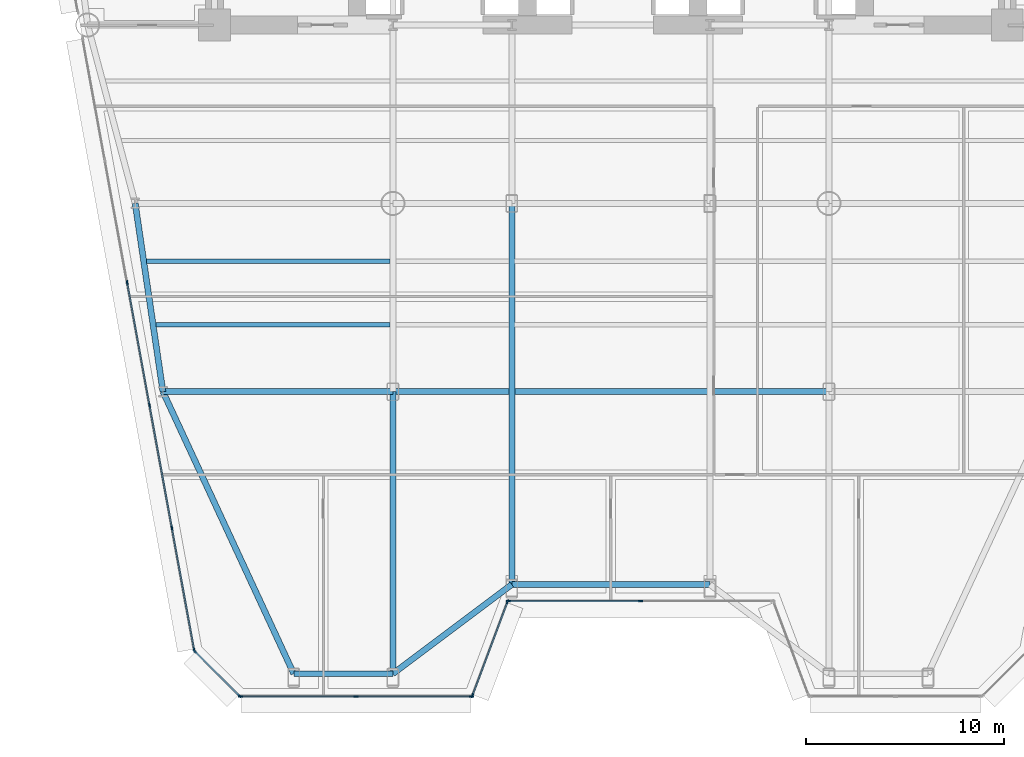
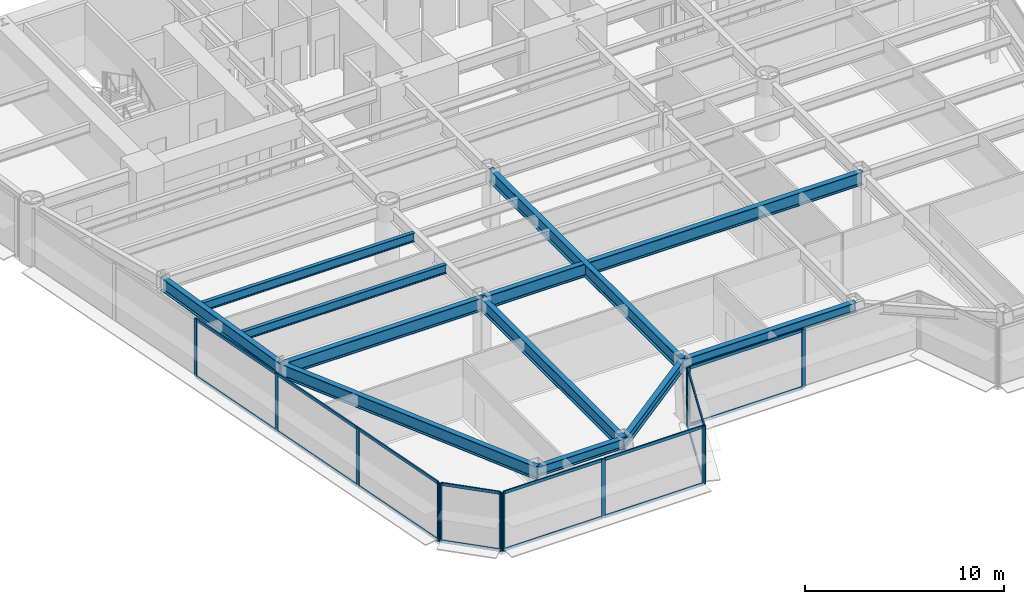
# One storey, part 2 of 14: 29 members, 11 beams, 5 elements without a shape of their own.
"""IFC4 building model written with IfcOpenShell, lengths in metres."""

import ifcopenshell
import ifcopenshell.guid

model = None  # the IFC model being written
_history = None  # IfcOwnerHistory: only IFC2X3 demands one
_inside = {}  # id of a spatial element -> (the spatial element, [elements in it])
_under = {}  # id of a project, library or spatial element -> (it, [spatial elements below it])
_declared = {}  # id of a project -> (the project, [libraries it declares])
_typed = {}  # id of a type object -> (the type object, [elements of that type])
_made_of = {}  # id of a material, layer set ... -> (it, [elements and type objects made of it])


def new_model(schema):
    """Start an empty IFC model of exactly this schema.

    Asked for "IFC4X3", IfcOpenShell would pick the latest addendum, in which some entities
    have other attributes; the version numbers below select the first issue.
    IFC2X3 requires an IfcOwnerHistory on every rooted entity: one is made here for all.
    """
    global model, _history
    if schema == "IFC4X3":
        model = ifcopenshell.file(schema_version=(4, 3, 0, 0))
    else:
        model = ifcopenshell.file(schema=schema)
    _inside.clear()
    _under.clear()
    _declared.clear()
    _typed.clear()
    _made_of.clear()
    _history = None
    if model.schema == "IFC2X3":
        org = make("IfcOrganization", Name="unknown")
        user = make(
            "IfcPersonAndOrganization",
            ThePerson=make("IfcPerson", FamilyName="unknown"),
            TheOrganization=org,
        )
        app = make(
            "IfcApplication",
            ApplicationDeveloper=org,
            Version="unknown",
            ApplicationFullName="unknown",
            ApplicationIdentifier="unknown",
        )
        _history = make(
            "IfcOwnerHistory",
            OwningUser=user,
            OwningApplication=app,
            ChangeAction="ADDED",
            CreationDate=0,
        )
    return model


def make(cls, **values):
    """One entity of the class cls with the attributes given. An attribute that is None is left unset."""
    return model.create_entity(
        cls, **{name: value for name, value in values.items() if value is not None}
    )


def rooted(cls, **values):
    """An entity with a GlobalId (a new one), such as an element, a storey or a relation."""
    return make(cls, GlobalId=ifcopenshell.guid.new(), OwnerHistory=_history, **values)


def si_unit(unit_type, name, prefix=None):
    """IfcSIUnit, for example si_unit("LENGTHUNIT", "METRE", prefix="MILLI")."""
    return make("IfcSIUnit", UnitType=unit_type, Prefix=prefix, Name=name)


def assignment(units):
    """IfcUnitAssignment: the units of a project."""
    return None if units is None else make("IfcUnitAssignment", Units=units)


def point(xyz):
    """IfcCartesianPoint."""
    return None if xyz is None else make("IfcCartesianPoint", Coordinates=xyz)


def direction(xyz):
    """IfcDirection."""
    return None if xyz is None else make("IfcDirection", DirectionRatios=xyz)


def frame(location, z_axis=None, x_axis=None):
    """IfcAxis2Placement3D, a coordinate frame: its origin and axes. An axis left out is left unset."""
    return make(
        "IfcAxis2Placement3D",
        Location=point(location),
        Axis=direction(z_axis),
        RefDirection=direction(x_axis),
    )


def frame_2d(location, x_axis=None):
    """IfcAxis2Placement2D, a coordinate frame in the plane: its origin and x axis."""
    return make(
        "IfcAxis2Placement2D", Location=point(location), RefDirection=direction(x_axis)
    )


def origin():
    """The frame at (0, 0, 0) with its axes left unset."""
    return frame((0.0, 0.0, 0.0))


def origin_2d():
    """The frame at (0, 0) in the plane with its x axis left unset."""
    return frame_2d((0.0, 0.0))


def place(relative_to, where):
    """IfcLocalPlacement: puts the frame where relative to a parent placement (None: the world)."""
    return make(
        "IfcLocalPlacement", PlacementRelTo=relative_to, RelativePlacement=where
    )


def context(
    kind, dimensions, precision=None, world=None, true_north=None, identifier=None
):
    """IfcGeometricRepresentationContext, for example the 3D "Model" context."""
    return make(
        "IfcGeometricRepresentationContext",
        ContextIdentifier=identifier,
        ContextType=kind,
        CoordinateSpaceDimension=dimensions,
        Precision=precision,
        WorldCoordinateSystem=world,
        TrueNorth=true_north,
    )


def subcontext(parent, identifier, kind, view, scale=None):
    """IfcGeometricRepresentationSubContext, for example "Body" below "Model"."""
    return make(
        "IfcGeometricRepresentationSubContext",
        ContextIdentifier=identifier,
        ContextType=kind,
        ParentContext=parent,
        TargetScale=scale,
        TargetView=view,
    )


def project(units=None, contexts=None):
    """IfcProject with its units and contexts."""
    return rooted(
        "IfcProject",
        Name="project",
        RepresentationContexts=contexts,
        UnitsInContext=assignment(units),
    )


def spatial(cls, under=None, at=None, **own):
    """A site, building, storey or space (cls), placed at a placement, below another one or the project."""
    s = rooted(cls, ObjectPlacement=at, **own)
    if under is not None:
        _under.setdefault(under.id(), (under, []))[1].append(s)
    return s


def profile(cls, at=None, kind="AREA", **sizes):
    """A parametric profile (cls). Its sizes go by their IFC names, for example OverallWidth=200.0."""
    return make(cls, ProfileType=kind, Position=at, **sizes)


def rectangle(**sizes):
    """IfcRectangleProfileDef."""
    return profile("IfcRectangleProfileDef", **sizes)


def i_section(**sizes):
    """IfcIShapeProfileDef."""
    return profile("IfcIShapeProfileDef", **sizes)


def extrude(swept, where, along, depth):
    """IfcExtrudedAreaSolid: the profile swept, set in the frame where, extruded along a direction by depth."""
    return make(
        "IfcExtrudedAreaSolid",
        SweptArea=swept,
        Position=where,
        ExtrudedDirection=direction(along),
        Depth=depth,
    )


def shape(context_of_items, identifier, shape_type, items):
    """IfcShapeRepresentation: the items that make up one representation, for example the "Body"."""
    return make(
        "IfcShapeRepresentation",
        ContextOfItems=context_of_items,
        RepresentationIdentifier=identifier,
        RepresentationType=shape_type,
        Items=items,
    )


def source(mapping_origin, context_of_items, identifier, shape_type, items):
    """IfcRepresentationMap: a shape defined once, which mapped items show again and again."""
    return make(
        "IfcRepresentationMap",
        MappingOrigin=mapping_origin,
        MappedRepresentation=shape(context_of_items, identifier, shape_type, items),
    )


def transform(
    local_origin,
    x_axis=None,
    y_axis=None,
    z_axis=None,
    scale=None,
    scale2=None,
    scale3=None,
    uniform=True,
):
    """IfcCartesianTransformationOperator3D, or its non-uniform kind. x_axis, y_axis, z_axis: its Axis1, 2, 3."""
    if uniform:
        return make(
            "IfcCartesianTransformationOperator3D",
            Axis1=direction(x_axis),
            Axis2=direction(y_axis),
            LocalOrigin=point(local_origin),
            Scale=scale,
            Axis3=direction(z_axis),
        )
    return make(
        "IfcCartesianTransformationOperator3DnonUniform",
        Axis1=direction(x_axis),
        Axis2=direction(y_axis),
        LocalOrigin=point(local_origin),
        Scale=scale,
        Axis3=direction(z_axis),
        Scale2=scale2,
        Scale3=scale3,
    )


def mapped(mapping_source, mapping_target):
    """IfcMappedItem: shows the shape of a source again, moved by a transform."""
    return make(
        "IfcMappedItem", MappingSource=mapping_source, MappingTarget=mapping_target
    )


def material(Name=None, Category=None):
    """IfcMaterial."""
    return make("IfcMaterial", Name=Name, Category=Category)


def layer(
    of_material, thickness, ventilated=None, Name=None, Category=None, Priority=None
):
    """IfcMaterialLayer: one layer of a wall or slab, of a material (None: an air gap)."""
    return make(
        "IfcMaterialLayer",
        Material=of_material,
        LayerThickness=thickness,
        IsVentilated=ventilated,
        Name=Name,
        Category=Category,
        Priority=Priority,
    )


def layer_set(layers, Name=None):
    """IfcMaterialLayerSet."""
    return make("IfcMaterialLayerSet", MaterialLayers=layers, LayerSetName=Name)


def material_profile(
    of_material, cross_section, Name=None, Category=None, Priority=None
):
    """IfcMaterialProfile: a cross section and its material."""
    return make(
        "IfcMaterialProfile",
        Name=Name,
        Material=of_material,
        Profile=cross_section,
        Priority=Priority,
        Category=Category,
    )


def profile_set(profiles, Name=None, composite=None):
    """IfcMaterialProfileSet."""
    return make(
        "IfcMaterialProfileSet",
        Name=Name,
        MaterialProfiles=profiles,
        CompositeProfile=composite,
    )


def made_of(thing, what):
    """Note that an element or type object is made of a material, layer set ...; save() writes the relation."""
    if what is not None:
        _made_of.setdefault(what.id(), (what, []))[1].append(thing)
    return thing


def type_object(cls, material=None, **own):
    """A type object (cls), such as IfcWallType, which elements share."""
    return made_of(rooted(cls, **own), material)


def element(
    cls,
    number,
    at=None,
    inside=None,
    cuts=None,
    type_object=None,
    material=None,
    context=None,
    identifier="Body",
    shape_type=None,
    held_by="IfcProductDefinitionShape",
    body=None,
    shapes=None,
    **own,
):
    """One element of the class cls, such as IfcWall. Its Tag is "e" and its number.

    at: its placement. inside: the storey or other place that contains it. cuts: it is an
    opening in that element (IfcRelVoidsElement). A single representation is given by context,
    identifier, shape_type and body (its items); several are given by shapes. held_by: the class
    of the entity that holds the representations. save() writes the other relations.
    """
    e = rooted(cls, Tag="e%d" % number, ObjectPlacement=at, **own)
    if body is not None:
        shapes = [shape(context, identifier, shape_type, body)]
    if shapes is not None:
        e.Representation = make(held_by, Representations=shapes)
    if inside is not None:
        _inside.setdefault(inside.id(), (inside, []))[1].append(e)
    if cuts is not None:
        rooted(
            "IfcRelVoidsElement", RelatingBuildingElement=cuts, RelatedOpeningElement=e
        )
    if type_object is not None:
        _typed.setdefault(type_object.id(), (type_object, []))[1].append(e)
    return made_of(e, material)


def aggregate(whole, parts):
    """IfcRelAggregates: a whole, such as a stair, and the parts it consists of."""
    return rooted("IfcRelAggregates", RelatingObject=whole, RelatedObjects=parts)


def save(model, path):
    """Write the relations noted so far, then the file.

    IfcRelAggregates (storeys below a building ...), IfcRelContainedInSpatialStructure (elements
    in a storey), IfcRelDefinesByType, IfcRelAssociatesMaterial and IfcRelDeclares: one each for
    every whole, place, type object, material and project.
    """
    for whole, parts in _under.values():
        aggregate(whole, parts)
    for where, things in _inside.values():
        rooted(
            "IfcRelContainedInSpatialStructure",
            RelatedElements=things,
            RelatingStructure=where,
        )
    for kind, things in _typed.values():
        rooted("IfcRelDefinesByType", RelatedObjects=things, RelatingType=kind)
    for what, things in _made_of.values():
        rooted("IfcRelAssociatesMaterial", RelatedObjects=things, RelatingMaterial=what)
    for by, libraries in _declared.values():
        rooted("IfcRelDeclares", RelatingContext=by, RelatedDefinitions=libraries)
    model.write(path)


model = new_model("IFC4")

# Units and contexts
model_context = context("Model", 3, precision=1e-05, world=origin(), true_north=direction((0.0, 1.0)))
body_context = subcontext(model_context, "Body", "Model", "MODEL_VIEW")
ifc_project = project(units=[si_unit("LENGTHUNIT", "METRE"), si_unit("AREAUNIT", "SQUARE_METRE"), si_unit("VOLUMEUNIT", "CUBIC_METRE"), si_unit("PLANEANGLEUNIT", "RADIAN"), si_unit("MASSUNIT", "GRAM", prefix="KILO")], contexts=[model_context])

# Site, building, storey
site_placement = place(None, origin())
site = spatial("IfcSite", under=ifc_project, at=site_placement, CompositionType="ELEMENT")
building_placement = place(site_placement, origin())
building = spatial("IfcBuilding", under=site, at=building_placement, Name="Vaeldorn Concourse Tower", CompositionType="ELEMENT")
storey_placement = place(building_placement, frame((0.0, 0.0, 60.60009765625)))
storey = spatial("IfcBuildingStorey", under=building, at=storey_placement, Name="L15", CompositionType="ELEMENT", Elevation=60.60009765625)

# Beams
ifc_material_1 = material(Name="Steel S355", Category="steel")
ifc_material_profile_1 = material_profile(ifc_material_1, i_section(OverallWidth=0.300048828125, OverallDepth=0.60009765625, WebThickness=0.015380859375, FlangeThickness=0.030029296875, FilletRadius=0.027099609375, at=origin_2d()), Name="HEB 600")
ifc_profile_set_1 = profile_set([ifc_material_profile_1], Name="Steel S355")
beam_type_1 = type_object("IfcBeamType", Name="BM-SP-HEB600", PredefinedType="SPANDREL", material=ifc_profile_set_1)
shared_shape_1 = source(origin(), body_context, "Body", "SweptSolid", [
    extrude(i_section(OverallWidth=0.300048828125, OverallDepth=0.60009765625, WebThickness=0.015380859375, FlangeThickness=0.030029296875, FilletRadius=0.027099609375, at=origin_2d()), origin(), (0.0, 0.0, 1.0), 5.0),
])
beam_1_placement = place(storey_placement, frame((18.0, 3.768798828125, 3.27978515625), z_axis=(1.0, 0.0, 0.0), x_axis=(0.0, 1.0, 0.0)))
element("IfcBeam", 1, at=beam_1_placement, inside=storey, type_object=beam_type_1, Name="Beam BM-L15-C-SF1-C-SF2", PredefinedType="SPANDREL", context=body_context, shape_type="MappedRepresentation", body=[
    mapped(shared_shape_1, transform((0.0, 0.0, 0.0), scale=1.0)),
])
shared_shape_2 = source(origin(), body_context, "Body", "SweptSolid", [
    extrude(i_section(OverallWidth=0.300048828125, OverallDepth=0.60009765625, WebThickness=0.015380859375, FlangeThickness=0.030029296875, FilletRadius=0.027099609375, at=origin_2d()), origin(), (0.0, 0.0, 1.0), 7.5),
])
beam_2_placement = place(storey_placement, frame((23.0, 3.768798828125, 3.27978515625), z_axis=(0.8, 0.6, 0.0), x_axis=(-0.6, 0.8, 0.0)))
element("IfcBeam", 2, at=beam_2_placement, inside=storey, type_object=beam_type_1, Name="Beam BM-L15-C-SF2-C-SF3", PredefinedType="SPANDREL", context=body_context, shape_type="MappedRepresentation", body=[
    mapped(shared_shape_2, transform((0.0, 0.0, 0.0), scale=1.0)),
])
shared_shape_3 = source(origin(), body_context, "Body", "SweptSolid", [
    extrude(i_section(OverallWidth=0.300048828125, OverallDepth=0.60009765625, WebThickness=0.015380859375, FlangeThickness=0.030029296875, FilletRadius=0.027099609375, at=origin_2d()), origin(), (0.0, 0.0, 1.0), 10.0),
])
beam_3_placement = place(storey_placement, frame((29.0, 8.268798828125, 3.27978515625), z_axis=(1.0, 0.0, 0.0), x_axis=(0.0, 1.0, 0.0)))
element("IfcBeam", 3, at=beam_3_placement, inside=storey, type_object=beam_type_1, Name="Beam BM-L15-C-SF3-C-SF4", PredefinedType="SPANDREL", context=body_context, shape_type="MappedRepresentation", body=[
    mapped(shared_shape_3, transform((0.0, 0.0, 0.0), scale=1.0)),
])
ifc_material_profile_2 = material_profile(ifc_material_1, i_section(OverallWidth=0.300048828125, OverallDepth=0.800048828125, WebThickness=0.017578125, FlangeThickness=0.032958984375, FilletRadius=0.030029296875, at=origin_2d()), Name="HEB 800")
ifc_profile_set_2 = profile_set([ifc_material_profile_2], Name="Steel S355")
beam_type_2 = type_object("IfcBeamType", Name="BM-PG-HEB800", PredefinedType="BEAM", material=ifc_profile_set_2)
shared_shape_4 = source(origin(), body_context, "Body", "SweptSolid", [
    extrude(i_section(OverallWidth=0.300048828125, OverallDepth=0.800048828125, WebThickness=0.017578125, FlangeThickness=0.032958984375, FilletRadius=0.030029296875, at=origin_2d()), origin(), (0.0, 0.0, 1.0), 9.6025390625),
])
beam_4_placement = place(storey_placement, frame((10.0, 27.5, 3.179931640625), z_axis=(0.145783835977, -0.989316467652, 0.0), x_axis=(0.989316467652, 0.145783835977, 0.0)))
element("IfcBeam", 4, at=beam_4_placement, inside=storey, type_object=beam_type_2, Name="Beam BM-L15-C-FLW1-C-FLW2", PredefinedType="BEAM", context=body_context, shape_type="MappedRepresentation", body=[
    mapped(shared_shape_4, transform((0.0, 0.0, 0.0), scale=1.0)),
])
shared_shape_5 = source(origin(), body_context, "Body", "SweptSolid", [
    extrude(i_section(OverallWidth=0.300048828125, OverallDepth=0.800048828125, WebThickness=0.017578125, FlangeThickness=0.032958984375, FilletRadius=0.030029296875, at=origin_2d()), origin(), (0.0, 0.0, 1.0), 11.60009765625),
])
beam_5_placement = place(storey_placement, frame((11.39990234375, 18.0, 3.179931640625), z_axis=(1.0, 0.0, 0.0), x_axis=(0.0, 1.0, 0.0)))
element("IfcBeam", 5, at=beam_5_placement, inside=storey, type_object=beam_type_2, Name="Beam BM-L15-C-FLW2-C-TW5", PredefinedType="BEAM", context=body_context, shape_type="MappedRepresentation", body=[
    mapped(shared_shape_5, transform((0.0, 0.0, 0.0), scale=1.0)),
])
shared_shape_6 = source(origin(), body_context, "Body", "SweptSolid", [
    extrude(i_section(OverallWidth=0.300048828125, OverallDepth=0.800048828125, WebThickness=0.017578125, FlangeThickness=0.032958984375, FilletRadius=0.030029296875, at=origin_2d()), origin(), (0.0, 0.0, 1.0), 22.0),
])
beam_6_placement = place(storey_placement, frame((23.0, 18.0, 3.179931640625), z_axis=(1.0, 0.0, 0.0), x_axis=(0.0, 1.0, 0.0)))
element("IfcBeam", 6, at=beam_6_placement, inside=storey, type_object=beam_type_2, Name="Beam BM-L15-C-TW5-C-TW6", PredefinedType="BEAM", context=body_context, shape_type="MappedRepresentation", body=[
    mapped(shared_shape_6, transform((0.0, 0.0, 0.0), scale=1.0)),
])
ifc_material_profile_3 = material_profile(ifc_material_1, i_section(OverallWidth=0.2099609375, OverallDepth=0.550048828125, WebThickness=0.010986328125, FlangeThickness=0.01708984375, FilletRadius=0.02392578125, at=origin_2d()), Name="IPE 550")
ifc_profile_set_3 = profile_set([ifc_material_profile_3], Name="Steel S355")
beam_type_3 = type_object("IfcBeamType", Name="BM-JS-IPE550", PredefinedType="JOIST", material=ifc_profile_set_3)
shared_shape_7 = source(origin(), body_context, "Body", "SweptSolid", [
    extrude(i_section(OverallWidth=0.2099609375, OverallDepth=0.550048828125, WebThickness=0.010986328125, FlangeThickness=0.01708984375, FilletRadius=0.02392578125, at=origin_2d()), origin(), (0.0, 0.0, 1.0), 11.798095703125),
])
beam_7_placement = place(storey_placement, frame((11.052001953125, 21.3798828125, 3.304931640625), z_axis=(1.0, 0.0, 0.0), x_axis=(0.0, 1.0, 0.0)))
element("IfcBeam", 7, at=beam_7_placement, inside=storey, type_object=beam_type_3, Name="Beam JS-L15-W1-213", PredefinedType="JOIST", context=body_context, shape_type="MappedRepresentation", body=[
    mapped(shared_shape_7, transform((0.0, 0.0, 0.0), scale=1.0)),
])
shared_shape_8 = source(origin(), body_context, "Body", "SweptSolid", [
    extrude(i_section(OverallWidth=0.2099609375, OverallDepth=0.550048828125, WebThickness=0.010986328125, FlangeThickness=0.01708984375, FilletRadius=0.02392578125, at=origin_2d()), origin(), (0.0, 0.0, 1.0), 12.269775390625),
])
beam_8_placement = place(storey_placement, frame((10.580322265625, 24.580078125, 3.304931640625), z_axis=(1.0, 0.0, 0.0), x_axis=(0.0, 1.0, 0.0)))
element("IfcBeam", 8, at=beam_8_placement, inside=storey, type_object=beam_type_3, Name="Beam JS-L15-W1-245", PredefinedType="JOIST", context=body_context, shape_type="MappedRepresentation", body=[
    mapped(shared_shape_8, transform((0.0, 0.0, 0.0), scale=1.0)),
])
shared_shape_9 = source(origin(), body_context, "Body", "SweptSolid", [
    extrude(i_section(OverallWidth=0.300048828125, OverallDepth=0.800048828125, WebThickness=0.017578125, FlangeThickness=0.032958984375, FilletRadius=0.030029296875, at=origin_2d()), origin(), (0.0, 0.0, 1.0), 15.687255859375),
])
beam_9_placement = place(storey_placement, frame((18.0, 3.768798828125, 3.179931640625), z_axis=(-0.420731289572, 0.907185307407, 0.0), x_axis=(-0.907185307407, -0.420731289572, 0.0)))
element("IfcBeam", 9, at=beam_9_placement, inside=storey, type_object=beam_type_2, Name="Beam BM-L15-C-SF1-C-FLW2", PredefinedType="BEAM", context=body_context, shape_type="MappedRepresentation", body=[
    mapped(shared_shape_9, transform((0.0, 0.0, 0.0), scale=1.0)),
])
shared_shape_10 = source(origin(), body_context, "Body", "SweptSolid", [
    extrude(i_section(OverallWidth=0.300048828125, OverallDepth=0.800048828125, WebThickness=0.017578125, FlangeThickness=0.032958984375, FilletRadius=0.030029296875, at=origin_2d()), origin(), (0.0, 0.0, 1.0), 14.231201171875),
])
beam_10_placement = place(storey_placement, frame((23.0, 3.768798828125, 3.179931640625), z_axis=(0.0, 1.0, 0.0), x_axis=(-1.0, 0.0, 0.0)))
element("IfcBeam", 10, at=beam_10_placement, inside=storey, type_object=beam_type_2, Name="Beam BM-L15-C-SF2-C-TW5", PredefinedType="BEAM", context=body_context, shape_type="MappedRepresentation", body=[
    mapped(shared_shape_10, transform((0.0, 0.0, 0.0), scale=1.0)),
])
shared_shape_11 = source(origin(), body_context, "Body", "SweptSolid", [
    extrude(i_section(OverallWidth=0.300048828125, OverallDepth=0.800048828125, WebThickness=0.017578125, FlangeThickness=0.032958984375, FilletRadius=0.030029296875, at=origin_2d()), origin(), (0.0, 0.0, 1.0), 19.231201171875),
])
beam_11_placement = place(storey_placement, frame((29.0, 8.268798828125, 3.179931640625), z_axis=(0.0, 1.0, 0.0), x_axis=(-1.0, 0.0, 0.0)))
element("IfcBeam", 11, at=beam_11_placement, inside=storey, type_object=beam_type_2, Name="Beam BM-L15-C-SF3-C-TW2", PredefinedType="BEAM", context=body_context, shape_type="MappedRepresentation", body=[
    mapped(shared_shape_11, transform((0.0, 0.0, 0.0), scale=1.0)),
])

# Curtain wall, members
ifc_material_2 = material(Name="Anodised Bronze Aluminium", Category="aluminium")
ifc_layer = layer(ifc_material_2, 0.219970703125)
ifc_layer_set = layer_set([ifc_layer], Name="Anodised Bronze Aluminium")
curtain_wall_type = type_object("IfcCurtainWallType", Name="CW-SYS-01", PredefinedType="NOTDEFINED", material=ifc_layer_set)
curtain_wall_1_placement = place(storey_placement, origin())
curtain_wall_1 = element("IfcCurtainWall", 12, at=curtain_wall_1_placement, inside=storey, type_object=curtain_wall_type, Name="Unitised Curtain Wall CW-L15-E01-1", PredefinedType="NOTDEFINED")
ifc_material_profile_4 = material_profile(ifc_material_2, rectangle(XDim=0.074951171875, YDim=0.219970703125, at=origin_2d()), Name="CWM 75x220")
ifc_profile_set_4 = profile_set([ifc_material_profile_4], Name="Anodised Bronze Aluminium")
member_type_1 = type_object("IfcMemberType", Name="CWM-BRONZE-220", PredefinedType="MULLION", material=ifc_profile_set_4)
shared_shape_12 = source(origin(), body_context, "Body", "SweptSolid", [
    extrude(rectangle(XDim=0.074951171875, YDim=0.219970703125, at=origin_2d()), origin(), (0.0, 0.0, 1.0), 3.579833984375),
])
member_1_placement = place(storey_placement, frame((15.318603515625, 2.6298828125, 0.0), z_axis=(0.0, 0.0, 1.0), x_axis=(0.0, 1.0, 0.0)))
member_1 = element("IfcMember", 13, at=member_1_placement, type_object=member_type_1, Name="CW-01 mullion 1", PredefinedType="MULLION", context=body_context, shape_type="MappedRepresentation", body=[
    mapped(shared_shape_12, transform((0.0, 0.0, 0.0), scale=1.0)),
])
member_2_placement = place(storey_placement, frame((21.140625, 2.6298828125, 0.0), z_axis=(0.0, 0.0, 1.0), x_axis=(0.0, 1.0, 0.0)))
member_2 = element("IfcMember", 14, at=member_2_placement, type_object=member_type_1, Name="CW-01 mullion 2", PredefinedType="MULLION", context=body_context, shape_type="MappedRepresentation", body=[
    mapped(shared_shape_12, transform((0.0, 0.0, 0.0), scale=1.0)),
])
member_3_placement = place(storey_placement, frame((26.96240234375, 2.6298828125, 0.0), z_axis=(0.0, 0.0, 1.0), x_axis=(0.0, 1.0, 0.0)))
member_3 = element("IfcMember", 15, at=member_3_placement, type_object=member_type_1, Name="CW-01 mullion 3", PredefinedType="MULLION", context=body_context, shape_type="MappedRepresentation", body=[
    mapped(shared_shape_12, transform((0.0, 0.0, 0.0), scale=1.0)),
])

curtain_wall_2_placement = place(storey_placement, origin())
curtain_wall_2 = element("IfcCurtainWall", 16, at=curtain_wall_2_placement, inside=storey, type_object=curtain_wall_type, Name="Unitised Curtain Wall CW-L15-E02-1", PredefinedType="NOTDEFINED")
member_4_placement = place(storey_placement, frame((27.01318359375, 2.664794921875, 0.0), z_axis=(0.0, 0.0, 1.0), x_axis=(-0.936329177566, 0.351123441595, 0.0)))
member_4 = element("IfcMember", 17, at=member_4_placement, type_object=member_type_1, Name="CW-01 mullion 1", PredefinedType="MULLION", context=body_context, shape_type="MappedRepresentation", body=[
    mapped(shared_shape_12, transform((0.0, 0.0, 0.0), scale=1.0)),
])
member_5_placement = place(storey_placement, frame((28.786865234375, 7.394775390625, 0.0), z_axis=(0.0, 0.0, 1.0), x_axis=(-0.936329177566, 0.351123441595, 0.0)))
member_5 = element("IfcMember", 18, at=member_5_placement, type_object=member_type_1, Name="CW-01 mullion 2", PredefinedType="MULLION", context=body_context, shape_type="MappedRepresentation", body=[
    mapped(shared_shape_12, transform((0.0, 0.0, 0.0), scale=1.0)),
])

curtain_wall_3_placement = place(storey_placement, origin())
curtain_wall_3 = element("IfcCurtainWall", 19, at=curtain_wall_3_placement, inside=storey, type_object=curtain_wall_type, Name="Unitised Curtain Wall CW-L15-E03-1", PredefinedType="NOTDEFINED")
member_6_placement = place(storey_placement, frame((28.83740234375, 7.4296875, 0.0), z_axis=(0.0, 0.0, 1.0), x_axis=(0.0, 1.0, 0.0)))
member_6 = element("IfcMember", 20, at=member_6_placement, type_object=member_type_1, Name="CW-01 mullion 1", PredefinedType="MULLION", context=body_context, shape_type="MappedRepresentation", body=[
    mapped(shared_shape_12, transform((0.0, 0.0, 0.0), scale=1.0)),
])
member_7_placement = place(storey_placement, frame((35.5, 7.4296875, 0.0), z_axis=(0.0, 0.0, 1.0), x_axis=(0.0, 1.0, 0.0)))
member_7 = element("IfcMember", 21, at=member_7_placement, type_object=member_type_1, Name="CW-01 mullion 2", PredefinedType="MULLION", context=body_context, shape_type="MappedRepresentation", body=[
    mapped(shared_shape_12, transform((0.0, 0.0, 0.0), scale=1.0)),
])

curtain_wall_4_placement = place(storey_placement, origin())
curtain_wall_4 = element("IfcCurtainWall", 22, at=curtain_wall_4_placement, inside=storey, type_object=curtain_wall_type, Name="Unitised Curtain Wall CW-L15-E11-2", PredefinedType="NOTDEFINED")
member_8_placement = place(storey_placement, frame((9.594970703125, 23.500244140625, 0.0), z_axis=(0.0, 0.0, 1.0), x_axis=(0.98377915742, 0.179383860553, 0.0)))
member_8 = element("IfcMember", 23, at=member_8_placement, type_object=member_type_1, Name="CW-01 mullion 3", PredefinedType="MULLION", context=body_context, shape_type="MappedRepresentation", body=[
    mapped(shared_shape_12, transform((0.0, 0.0, 0.0), scale=1.0)),
])
member_9_placement = place(storey_placement, frame((10.7236328125, 17.31005859375, 0.0), z_axis=(0.0, 0.0, 1.0), x_axis=(0.98377915742, 0.179383860553, 0.0)))
member_9 = element("IfcMember", 24, at=member_9_placement, type_object=member_type_1, Name="CW-01 mullion 4", PredefinedType="MULLION", context=body_context, shape_type="MappedRepresentation", body=[
    mapped(shared_shape_12, transform((0.0, 0.0, 0.0), scale=1.0)),
])
member_10_placement = place(storey_placement, frame((11.852294921875, 11.119873046875, 0.0), z_axis=(0.0, 0.0, 1.0), x_axis=(0.98377915742, 0.179383860553, 0.0)))
member_10 = element("IfcMember", 25, at=member_10_placement, type_object=member_type_1, Name="CW-01 mullion 5", PredefinedType="MULLION", context=body_context, shape_type="MappedRepresentation", body=[
    mapped(shared_shape_12, transform((0.0, 0.0, 0.0), scale=1.0)),
])
member_11_placement = place(storey_placement, frame((12.974365234375, 4.966796875, 0.0), z_axis=(0.0, 0.0, 1.0), x_axis=(0.98377915742, 0.179383860553, 0.0)))
member_11 = element("IfcMember", 26, at=member_11_placement, type_object=member_type_1, Name="CW-01 mullion 6", PredefinedType="MULLION", context=body_context, shape_type="MappedRepresentation", body=[
    mapped(shared_shape_12, transform((0.0, 0.0, 0.0), scale=1.0)),
])

curtain_wall_5_placement = place(storey_placement, origin())
curtain_wall_5 = element("IfcCurtainWall", 27, at=curtain_wall_5_placement, inside=storey, type_object=curtain_wall_type, Name="Unitised Curtain Wall CW-L15-E12-1", PredefinedType="NOTDEFINED")
member_12_placement = place(storey_placement, frame((13.007568359375, 4.9033203125, 0.0), z_axis=(0.0, 0.0, 1.0), x_axis=(0.707106781187, 0.707106781187, 0.0)))
member_12 = element("IfcMember", 28, at=member_12_placement, type_object=member_type_1, Name="CW-01 mullion 1", PredefinedType="MULLION", context=body_context, shape_type="MappedRepresentation", body=[
    mapped(shared_shape_12, transform((0.0, 0.0, 0.0), scale=1.0)),
])
member_13_placement = place(storey_placement, frame((15.254638671875, 2.65625, 0.0), z_axis=(0.0, 0.0, 1.0), x_axis=(0.707106781187, 0.707106781187, 0.0)))
member_13 = element("IfcMember", 29, at=member_13_placement, type_object=member_type_1, Name="CW-01 mullion 2", PredefinedType="MULLION", context=body_context, shape_type="MappedRepresentation", body=[
    mapped(shared_shape_12, transform((0.0, 0.0, 0.0), scale=1.0)),
])

# Member
ifc_material_profile_5 = material_profile(ifc_material_2, rectangle(XDim=0.074951171875, YDim=0.179931640625, at=origin_2d()), Name="CWT 75x180")
ifc_profile_set_5 = profile_set([ifc_material_profile_5], Name="Anodised Bronze Aluminium")
member_type_2 = type_object("IfcMemberType", Name="CWT-BRONZE-180", PredefinedType="USERDEFINED", material=ifc_profile_set_5)
shared_shape_13 = source(origin(), body_context, "Body", "SweptSolid", [
    extrude(rectangle(XDim=0.074951171875, YDim=0.179931640625, at=origin_2d()), origin(), (0.0, 0.0, 1.0), 6.58740234375),
])
member_14_placement = place(storey_placement, frame((28.875, 7.4296875, 0.037353515625), z_axis=(1.0, 0.0, 0.0), x_axis=(0.0, 1.0, 0.0)))
member_14 = element("IfcMember", 30, at=member_14_placement, type_object=member_type_2, Name="CW-01 transom 1.1", ObjectType="TRANSOM", PredefinedType="USERDEFINED", context=body_context, shape_type="MappedRepresentation", body=[
    mapped(shared_shape_13, transform((0.0, 0.0, 0.0), scale=1.0)),
])

member_15_placement = place(storey_placement, frame((28.875, 7.4296875, 3.54248046875), z_axis=(1.0, 0.0, 0.0), x_axis=(0.0, 1.0, 0.0)))
member_15 = element("IfcMember", 31, at=member_15_placement, type_object=member_type_2, Name="CW-01 transom 1.2", ObjectType="TRANSOM", PredefinedType="USERDEFINED", context=body_context, shape_type="MappedRepresentation", body=[
    mapped(shared_shape_13, transform((0.0, 0.0, 0.0), scale=1.0)),
])

aggregate(curtain_wall_3, [member_6, member_7, member_14, member_15])

shared_shape_14 = source(origin(), body_context, "Body", "SweptSolid", [
    extrude(rectangle(XDim=0.074951171875, YDim=0.179931640625, at=origin_2d()), origin(), (0.0, 0.0, 1.0), 4.9765625),
])
member_16_placement = place(storey_placement, frame((27.0263671875, 2.699951171875, 0.037353515625), z_axis=(0.351112688987, 0.936333209724, 0.0), x_axis=(-0.936333209724, 0.351112688987, 0.0)))
member_16 = element("IfcMember", 32, at=member_16_placement, type_object=member_type_2, Name="CW-01 transom 1.1", ObjectType="TRANSOM", PredefinedType="USERDEFINED", context=body_context, shape_type="MappedRepresentation", body=[
    mapped(shared_shape_14, transform((0.0, 0.0, 0.0), scale=1.0)),
])

member_17_placement = place(storey_placement, frame((27.0263671875, 2.699951171875, 3.54248046875), z_axis=(0.351112688987, 0.936333209724, 0.0), x_axis=(-0.936333209724, 0.351112688987, 0.0)))
member_17 = element("IfcMember", 33, at=member_17_placement, type_object=member_type_2, Name="CW-01 transom 1.2", ObjectType="TRANSOM", PredefinedType="USERDEFINED", context=body_context, shape_type="MappedRepresentation", body=[
    mapped(shared_shape_14, transform((0.0, 0.0, 0.0), scale=1.0)),
])

aggregate(curtain_wall_2, [member_4, member_5, member_16, member_17])

shared_shape_15 = source(origin(), body_context, "Body", "SweptSolid", [
    extrude(rectangle(XDim=0.074951171875, YDim=0.179931640625, at=origin_2d()), origin(), (0.0, 0.0, 1.0), 3.1025390625),
])
member_18_placement = place(storey_placement, frame((13.0341796875, 4.876708984375, 0.037353515625), z_axis=(0.707106781187, -0.707106781187, 0.0), x_axis=(0.707106781187, 0.707106781187, 0.0)))
member_18 = element("IfcMember", 34, at=member_18_placement, type_object=member_type_2, Name="CW-01 transom 1.1", ObjectType="TRANSOM", PredefinedType="USERDEFINED", context=body_context, shape_type="MappedRepresentation", body=[
    mapped(shared_shape_15, transform((0.0, 0.0, 0.0), scale=1.0)),
])

member_19_placement = place(storey_placement, frame((13.0341796875, 4.876708984375, 3.54248046875), z_axis=(0.707106781187, -0.707106781187, 0.0), x_axis=(0.707106781187, 0.707106781187, 0.0)))
member_19 = element("IfcMember", 35, at=member_19_placement, type_object=member_type_2, Name="CW-01 transom 1.2", ObjectType="TRANSOM", PredefinedType="USERDEFINED", context=body_context, shape_type="MappedRepresentation", body=[
    mapped(shared_shape_15, transform((0.0, 0.0, 0.0), scale=1.0)),
])

aggregate(curtain_wall_5, [member_12, member_13, member_18, member_19])

shared_shape_16 = source(origin(), body_context, "Body", "SweptSolid", [
    extrude(rectangle(XDim=0.074951171875, YDim=0.179931640625, at=origin_2d()), origin(), (0.0, 0.0, 1.0), 5.746826171875),
])
member_20_placement = place(storey_placement, frame((15.356201171875, 2.6298828125, 0.037353515625), z_axis=(1.0, 0.0, 0.0), x_axis=(0.0, 1.0, 0.0)))
member_20 = element("IfcMember", 36, at=member_20_placement, type_object=member_type_2, Name="CW-01 transom 1.1", ObjectType="TRANSOM", PredefinedType="USERDEFINED", context=body_context, shape_type="MappedRepresentation", body=[
    mapped(shared_shape_16, transform((0.0, 0.0, 0.0), scale=1.0)),
])

member_21_placement = place(storey_placement, frame((15.356201171875, 2.6298828125, 3.54248046875), z_axis=(1.0, 0.0, 0.0), x_axis=(0.0, 1.0, 0.0)))
member_21 = element("IfcMember", 37, at=member_21_placement, type_object=member_type_2, Name="CW-01 transom 1.2", ObjectType="TRANSOM", PredefinedType="USERDEFINED", context=body_context, shape_type="MappedRepresentation", body=[
    mapped(shared_shape_16, transform((0.0, 0.0, 0.0), scale=1.0)),
])

shared_shape_17 = source(origin(), body_context, "Body", "SweptSolid", [
    extrude(rectangle(XDim=0.074951171875, YDim=0.179931640625, at=origin_2d()), origin(), (0.0, 0.0, 1.0), 5.7470703125),
])
member_22_placement = place(storey_placement, frame((21.177978515625, 2.6298828125, 0.037353515625), z_axis=(1.0, 0.0, 0.0), x_axis=(0.0, 1.0, 0.0)))
member_22 = element("IfcMember", 38, at=member_22_placement, type_object=member_type_2, Name="CW-01 transom 2.1", ObjectType="TRANSOM", PredefinedType="USERDEFINED", context=body_context, shape_type="MappedRepresentation", body=[
    mapped(shared_shape_17, transform((0.0, 0.0, 0.0), scale=1.0)),
])

member_23_placement = place(storey_placement, frame((21.177978515625, 2.6298828125, 3.54248046875), z_axis=(1.0, 0.0, 0.0), x_axis=(0.0, 1.0, 0.0)))
member_23 = element("IfcMember", 39, at=member_23_placement, type_object=member_type_2, Name="CW-01 transom 2.2", ObjectType="TRANSOM", PredefinedType="USERDEFINED", context=body_context, shape_type="MappedRepresentation", body=[
    mapped(shared_shape_17, transform((0.0, 0.0, 0.0), scale=1.0)),
])

aggregate(curtain_wall_1, [member_1, member_2, member_3, member_20, member_21, member_22, member_23])

shared_shape_18 = source(origin(), body_context, "Body", "SweptSolid", [
    extrude(rectangle(XDim=0.074951171875, YDim=0.179931640625, at=origin_2d()), origin(), (0.0, 0.0, 1.0), 6.179443359375),
])
member_24_placement = place(storey_placement, frame((11.859130859375, 11.0830078125, 0.037353515625), z_axis=(0.179365199084, -0.983782559999, 0.0), x_axis=(0.983782559999, 0.179365199084, 0.0)))
member_24 = element("IfcMember", 40, at=member_24_placement, type_object=member_type_2, Name="CW-01 transom 5.1", ObjectType="TRANSOM", PredefinedType="USERDEFINED", context=body_context, shape_type="MappedRepresentation", body=[
    mapped(shared_shape_18, transform((0.0, 0.0, 0.0), scale=1.0)),
])

member_25_placement = place(storey_placement, frame((11.859130859375, 11.0830078125, 3.54248046875), z_axis=(0.179365199084, -0.983782559999, 0.0), x_axis=(0.983782559999, 0.179365199084, 0.0)))
member_25 = element("IfcMember", 41, at=member_25_placement, type_object=member_type_2, Name="CW-01 transom 5.2", ObjectType="TRANSOM", PredefinedType="USERDEFINED", context=body_context, shape_type="MappedRepresentation", body=[
    mapped(shared_shape_18, transform((0.0, 0.0, 0.0), scale=1.0)),
])

shared_shape_19 = source(origin(), body_context, "Body", "SweptSolid", [
    extrude(rectangle(XDim=0.074951171875, YDim=0.179931640625, at=origin_2d()), origin(), (0.0, 0.0, 1.0), 6.21728515625),
])
member_26_placement = place(storey_placement, frame((9.6015625, 23.46337890625, 0.037353515625), z_axis=(0.179414112659, -0.983773640722, 0.0), x_axis=(0.983773640722, 0.179414112659, 0.0)))
member_26 = element("IfcMember", 42, at=member_26_placement, type_object=member_type_2, Name="CW-01 transom 3.1", ObjectType="TRANSOM", PredefinedType="USERDEFINED", context=body_context, shape_type="MappedRepresentation", body=[
    mapped(shared_shape_19, transform((0.0, 0.0, 0.0), scale=1.0)),
])

member_27_placement = place(storey_placement, frame((9.6015625, 23.46337890625, 3.54248046875), z_axis=(0.179414112659, -0.983773640722, 0.0), x_axis=(0.983773640722, 0.179414112659, 0.0)))
member_27 = element("IfcMember", 43, at=member_27_placement, type_object=member_type_2, Name="CW-01 transom 3.2", ObjectType="TRANSOM", PredefinedType="USERDEFINED", context=body_context, shape_type="MappedRepresentation", body=[
    mapped(shared_shape_19, transform((0.0, 0.0, 0.0), scale=1.0)),
])

member_28_placement = place(storey_placement, frame((10.73046875, 17.273193359375, 0.037353515625), z_axis=(0.179376108564, -0.983780570898, 0.0), x_axis=(0.983780570898, 0.179376108564, 0.0)))
member_28 = element("IfcMember", 44, at=member_28_placement, type_object=member_type_2, Name="CW-01 transom 4.1", ObjectType="TRANSOM", PredefinedType="USERDEFINED", context=body_context, shape_type="MappedRepresentation", body=[
    mapped(shared_shape_19, transform((0.0, 0.0, 0.0), scale=1.0)),
])

member_29_placement = place(storey_placement, frame((10.73046875, 17.273193359375, 3.54248046875), z_axis=(0.179376108564, -0.983780570898, 0.0), x_axis=(0.983780570898, 0.179376108564, 0.0)))
member_29 = element("IfcMember", 45, at=member_29_placement, type_object=member_type_2, Name="CW-01 transom 4.2", ObjectType="TRANSOM", PredefinedType="USERDEFINED", context=body_context, shape_type="MappedRepresentation", body=[
    mapped(shared_shape_19, transform((0.0, 0.0, 0.0), scale=1.0)),
])

aggregate(curtain_wall_4, [member_8, member_9, member_10, member_11, member_26, member_27, member_28, member_29, member_24, member_25])

save(model, "model.ifc")
